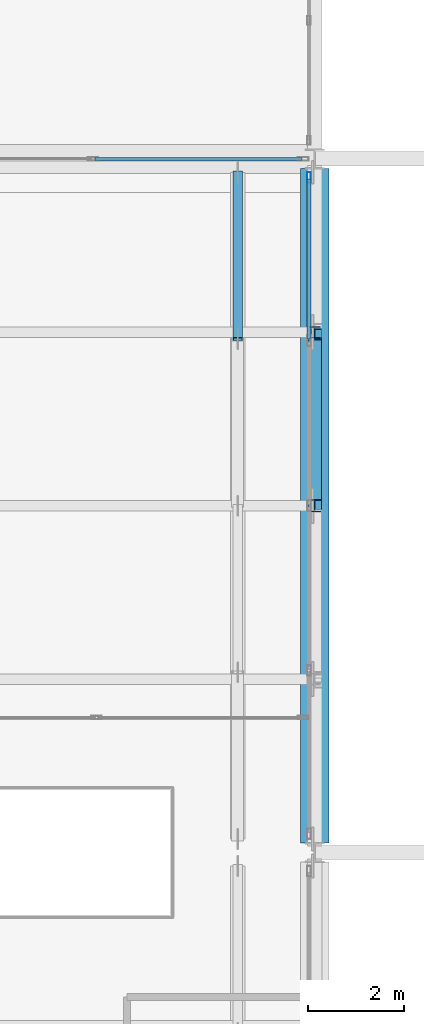
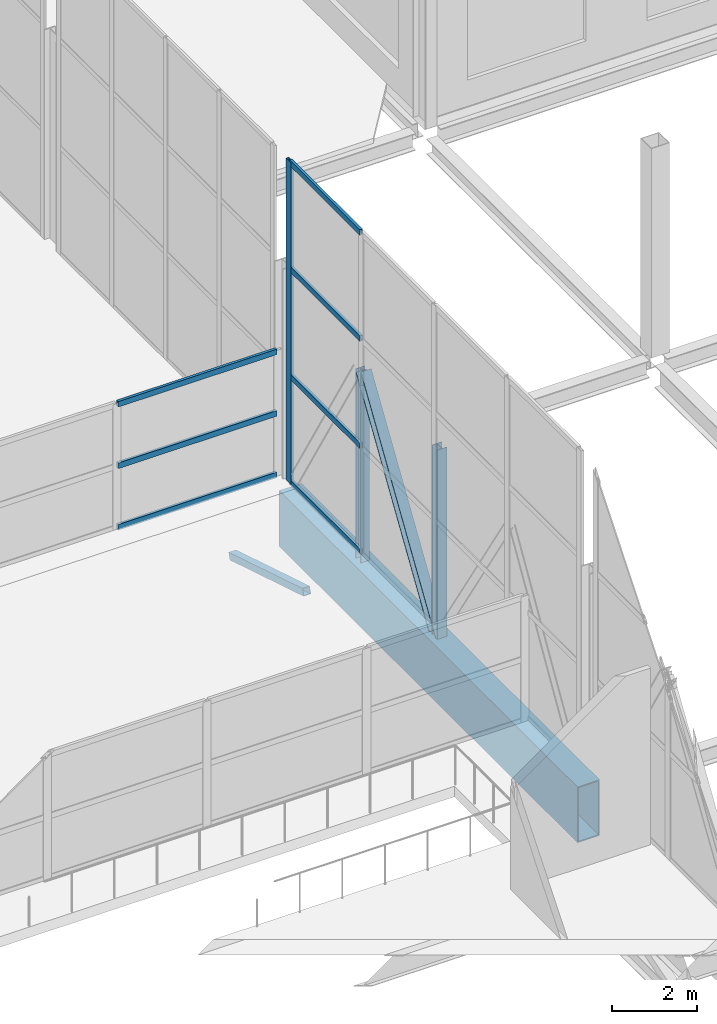
# One storey, part 110 of 191: 12 members, 1 beam, 2 elements without a shape of their own.
"""IFC4 building model written with IfcOpenShell, lengths in metres."""

from ifc_helpers import new_model, si_unit, direction, frame, origin, origin_2d, place, context, subcontext, project, spatial, hollow_rectangle, i_section, extrude, material, layer, layer_set, material_profile, profile_set, type_object, element, aggregate, save


model = new_model("IFC4")

# Units and contexts
model_context = context("Model", 3, precision=1e-05, world=origin(), true_north=direction((0.0, 1.0)))
body_context = subcontext(model_context, "Body", "Model", "MODEL_VIEW")
ifc_project = project(units=[si_unit("LENGTHUNIT", "METRE"), si_unit("AREAUNIT", "SQUARE_METRE"), si_unit("VOLUMEUNIT", "CUBIC_METRE"), si_unit("PLANEANGLEUNIT", "RADIAN"), si_unit("MASSUNIT", "GRAM", prefix="KILO")], contexts=[model_context])

# Site, building, storey
site_placement = place(None, origin())
site = spatial("IfcSite", under=ifc_project, at=site_placement, CompositionType="ELEMENT")
building_placement = place(site_placement, origin())
building = spatial("IfcBuilding", under=site, at=building_placement, Name="Tamarisk Ironworks Central Station", CompositionType="ELEMENT")
storey_placement = place(building_placement, frame((0.0, 0.0, 6.60009765625)))
storey = spatial("IfcBuildingStorey", under=building, at=storey_placement, Name="L01", CompositionType="ELEMENT", Elevation=6.60009765625)

# Beam
ifc_material_1 = material(Name="Structural steel S355J2", Category="steel")
ifc_material_profile_1 = material_profile(ifc_material_1, hollow_rectangle(XDim=0.60009765625, YDim=1.60009765625, WallThickness=0.031982421875, at=origin_2d()), Name="BOX 600x1600x32")
ifc_profile_set_1 = profile_set([ifc_material_profile_1], Name="Structural steel S355J2")
beam_type = type_object("IfcBeamType", Name="BM-TG01", PredefinedType="USERDEFINED", material=ifc_profile_set_1)
beam_placement = place(storey_placement, frame((108.0, 65.00048828125, -1.10009765625), z_axis=(0.0, 1.0, 0.0), x_axis=(-1.0, 0.0, 0.0)))
element("IfcBeam", 1, at=beam_placement, inside=storey, type_object=beam_type, Name="L01 primary girder Y-0235", ObjectType="TRANSFER GIRDER", PredefinedType="USERDEFINED", context=body_context, shape_type="SweptSolid", body=[
    extrude(hollow_rectangle(XDim=0.60009765625, YDim=1.60009765625, WallThickness=0.031982421875, at=origin_2d()), origin(), (0.0, 0.0, 1.0), 13.9990234375),
])

# Curtain wall, members
ifc_material_2 = material(Name="Anodized aluminium alloy 6063-T6", Category="aluminium")
ifc_layer_1 = layer(ifc_material_2, 0.179931640625)
ifc_layer_set_1 = layer_set([ifc_layer_1], Name="Anodized aluminium alloy 6063-T6")
curtain_wall_type_1 = type_object("IfcCurtainWallType", Name="CW-06", PredefinedType="USERDEFINED", material=ifc_layer_set_1)
curtain_wall_1_placement = place(storey_placement, origin())
curtain_wall_1 = element("IfcCurtainWall", 2, at=curtain_wall_1_placement, inside=storey, type_object=curtain_wall_type_1, Name="Concourse E track-overlook curtain wall 05", ObjectType="GLAZED CURTAIN WALL", PredefinedType="USERDEFINED")
ifc_material_profile_2 = material_profile(ifc_material_2, hollow_rectangle(XDim=0.074951171875, YDim=0.219970703125, WallThickness=0.00390625, at=origin_2d()), Name="ALUM 220x75")
ifc_profile_set_2 = profile_set([ifc_material_profile_2], Name="Anodized aluminium alloy 6063-T6")
member_type_1 = type_object("IfcMemberType", Name="CWM-01", PredefinedType="MULLION", material=ifc_profile_set_2)
member_1_placement = place(storey_placement, frame((107.8798828125, 78.8125, 0.0), z_axis=(0.0, 0.0, 1.0), x_axis=(-1.0, 0.0, 0.0)))
member_1 = element("IfcMember", 3, at=member_1_placement, type_object=member_type_1, Name="CW06 mullion 5", PredefinedType="MULLION", context=body_context, shape_type="SweptSolid", body=[
    extrude(hollow_rectangle(XDim=0.074951171875, YDim=0.219970703125, WallThickness=0.00390625, at=origin_2d()), origin(), (0.0, 0.0, 1.0), 9.219970703125),
])
ifc_material_profile_3 = material_profile(ifc_material_2, hollow_rectangle(XDim=0.074951171875, YDim=0.159912109375, WallThickness=0.00390625, at=origin_2d()), Name="ALUM 160x75")
ifc_profile_set_3 = profile_set([ifc_material_profile_3], Name="Anodized aluminium alloy 6063-T6")
member_type_2 = type_object("IfcMemberType", Name="CWT-01", PredefinedType="USERDEFINED", material=ifc_profile_set_3)
member_2_placement = place(storey_placement, frame((107.8798828125, 75.45849609375, 0.037353515625), z_axis=(0.0, 1.0, 0.0), x_axis=(-1.0, 0.0, 0.0)))
member_2 = element("IfcMember", 4, at=member_2_placement, type_object=member_type_2, Name="CW06 transom 4.1", ObjectType="TRANSOM", PredefinedType="USERDEFINED", context=body_context, shape_type="SweptSolid", body=[
    extrude(hollow_rectangle(XDim=0.074951171875, YDim=0.159912109375, WallThickness=0.00390625, at=origin_2d()), origin(), (0.0, 0.0, 1.0), 3.320556640625),
])
member_3_placement = place(storey_placement, frame((107.8798828125, 75.45849609375, 3.0732421875), z_axis=(0.0, 1.0, 0.0), x_axis=(-1.0, 0.0, 0.0)))
member_3 = element("IfcMember", 5, at=member_3_placement, type_object=member_type_2, Name="CW06 transom 4.2", ObjectType="TRANSOM", PredefinedType="USERDEFINED", context=body_context, shape_type="SweptSolid", body=[
    extrude(hollow_rectangle(XDim=0.074951171875, YDim=0.159912109375, WallThickness=0.00390625, at=origin_2d()), origin(), (0.0, 0.0, 1.0), 3.320556640625),
])
member_4_placement = place(storey_placement, frame((107.8798828125, 75.45849609375, 6.146484375), z_axis=(0.0, 1.0, 0.0), x_axis=(-1.0, 0.0, 0.0)))
member_4 = element("IfcMember", 6, at=member_4_placement, type_object=member_type_2, Name="CW06 transom 4.3", ObjectType="TRANSOM", PredefinedType="USERDEFINED", context=body_context, shape_type="SweptSolid", body=[
    extrude(hollow_rectangle(XDim=0.074951171875, YDim=0.159912109375, WallThickness=0.00390625, at=origin_2d()), origin(), (0.0, 0.0, 1.0), 3.320556640625),
])
member_5_placement = place(storey_placement, frame((107.8798828125, 75.45849609375, 9.182373046875), z_axis=(0.0, 1.0, 0.0), x_axis=(-1.0, 0.0, 0.0)))
member_5 = element("IfcMember", 7, at=member_5_placement, type_object=member_type_2, Name="CW06 transom 4.4", ObjectType="TRANSOM", PredefinedType="USERDEFINED", context=body_context, shape_type="SweptSolid", body=[
    extrude(hollow_rectangle(XDim=0.074951171875, YDim=0.159912109375, WallThickness=0.00390625, at=origin_2d()), origin(), (0.0, 0.0, 1.0), 3.320556640625),
])
aggregate(curtain_wall_1, [member_1, member_2, member_3, member_4, member_5])

ifc_layer_2 = layer(ifc_material_2, 0.179931640625)
ifc_layer_set_2 = layer_set([ifc_layer_2], Name="Anodized aluminium alloy 6063-T6")
curtain_wall_type_2 = type_object("IfcCurtainWallType", Name="CW-24", PredefinedType="USERDEFINED", material=ifc_layer_set_2)
curtain_wall_2_placement = place(storey_placement, origin())
curtain_wall_2 = element("IfcCurtainWall", 8, at=curtain_wall_2_placement, inside=storey, type_object=curtain_wall_type_2, Name="North bridge east glazed acoustic screen", ObjectType="GLAZED CURTAIN WALL", PredefinedType="USERDEFINED")
member_6_placement = place(storey_placement, frame((103.43310546875, 79.199951171875, 0.037353515625), z_axis=(1.0, 0.0, 0.0), x_axis=(0.0, 1.0, 0.0)))
member_6 = element("IfcMember", 9, at=member_6_placement, type_object=member_type_2, Name="CW24 transom 4.1", ObjectType="TRANSOM", PredefinedType="USERDEFINED", context=body_context, shape_type="SweptSolid", body=[
    extrude(hollow_rectangle(XDim=0.074951171875, YDim=0.159912109375, WallThickness=0.00390625, at=origin_2d()), origin(), (0.0, 0.0, 1.0), 4.294921875),
])
member_7_placement = place(storey_placement, frame((103.43310546875, 79.199951171875, 1.7998046875), z_axis=(1.0, 0.0, 0.0), x_axis=(0.0, 1.0, 0.0)))
member_7 = element("IfcMember", 10, at=member_7_placement, type_object=member_type_2, Name="CW24 transom 4.2", ObjectType="TRANSOM", PredefinedType="USERDEFINED", context=body_context, shape_type="SweptSolid", body=[
    extrude(hollow_rectangle(XDim=0.074951171875, YDim=0.159912109375, WallThickness=0.00390625, at=origin_2d()), origin(), (0.0, 0.0, 1.0), 4.294921875),
])
member_8_placement = place(storey_placement, frame((103.43310546875, 79.199951171875, 3.5625), z_axis=(1.0, 0.0, 0.0), x_axis=(0.0, 1.0, 0.0)))
member_8 = element("IfcMember", 11, at=member_8_placement, type_object=member_type_2, Name="CW24 transom 4.3", ObjectType="TRANSOM", PredefinedType="USERDEFINED", context=body_context, shape_type="SweptSolid", body=[
    extrude(hollow_rectangle(XDim=0.074951171875, YDim=0.159912109375, WallThickness=0.00390625, at=origin_2d()), origin(), (0.0, 0.0, 1.0), 4.294921875),
])
aggregate(curtain_wall_2, [member_6, member_7, member_8])

# Members
ifc_material_3 = material(Name="Structural steel S355J2H", Category="steel")
ifc_material_profile_4 = material_profile(ifc_material_3, hollow_rectangle(XDim=0.199951171875, YDim=0.199951171875, WallThickness=0.010009765625, at=origin_2d()), Name="SHS 200x200x10")
ifc_profile_set_4 = profile_set([ifc_material_profile_4], Name="Structural steel S355J2H")
member_type_3 = type_object("IfcMemberType", Name="MB-BR02", PredefinedType="BRACE", material=ifc_profile_set_4)
member_9_placement = place(storey_placement, frame((106.39990234375, 75.4599609375, -0.580078125), z_axis=(0.0, 0.956131332595, -0.292938346467), x_axis=(-1.0, 0.0, 0.0)))
element("IfcMember", 12, at=member_9_placement, inside=storey, type_object=member_type_3, Name="Bridge deck stiffening web brace 208", PredefinedType="BRACE", context=body_context, shape_type="SweptSolid", body=[
    extrude(hollow_rectangle(XDim=0.199951171875, YDim=0.199951171875, WallThickness=0.010009765625, at=origin_2d()), origin(), (0.0, 0.0, 1.0), 3.61865234375),
])
ifc_material_profile_5 = material_profile(ifc_material_1, i_section(OverallWidth=0.280029296875, OverallDepth=0.280029296875, WebThickness=0.010498046875, FlangeThickness=0.01806640625, at=origin_2d()), Name="HEB 280")
ifc_profile_set_5 = profile_set([ifc_material_profile_5], Name="Structural steel S355J2")
member_type_4 = type_object("IfcMemberType", Name="MB-TTD02", PredefinedType="BRACE", material=ifc_profile_set_5)
member_10_placement = place(storey_placement, frame((108.0, 72.0400390625, -0.380126953125), z_axis=(0.0, 0.539055818311, 0.842270042649), x_axis=(-1.0, 0.0, 0.0)))
element("IfcMember", 13, at=member_10_placement, inside=storey, type_object=member_type_4, Name="Transfer truss diagonal 109", PredefinedType="BRACE", context=body_context, shape_type="SweptSolid", body=[
    extrude(i_section(OverallWidth=0.280029296875, OverallDepth=0.280029296875, WebThickness=0.010498046875, FlangeThickness=0.01806640625, at=origin_2d()), origin(), (0.0, 0.0, 1.0), 6.530029296875),
])
ifc_material_profile_6 = material_profile(ifc_material_1, i_section(OverallWidth=0.260009765625, OverallDepth=0.260009765625, WebThickness=0.010009765625, FlangeThickness=0.017578125, at=origin_2d()), Name="HEB 260")
ifc_profile_set_6 = profile_set([ifc_material_profile_6], Name="Structural steel S355J2")
member_type_5 = type_object("IfcMemberType", Name="MB-TTP01", PredefinedType="POST", material=ifc_profile_set_6)
member_11_placement = place(storey_placement, frame((108.0, 72.0, -0.340087890625), z_axis=(0.0, 0.0, 1.0), x_axis=(1.0, 0.0, 0.0)))
element("IfcMember", 14, at=member_11_placement, inside=storey, type_object=member_type_5, Name="Transfer truss vertical post 110", PredefinedType="POST", context=body_context, shape_type="SweptSolid", body=[
    extrude(i_section(OverallWidth=0.260009765625, OverallDepth=0.260009765625, WebThickness=0.010009765625, FlangeThickness=0.017578125, at=origin_2d()), origin(), (0.0, 0.0, 1.0), 5.4599609375),
])
ifc_material_profile_7 = material_profile(ifc_material_1, i_section(OverallWidth=0.239990234375, OverallDepth=0.239990234375, WebThickness=0.010009765625, FlangeThickness=0.01708984375, at=origin_2d()), Name="HEB 240")
ifc_profile_set_7 = profile_set([ifc_material_profile_7], Name="Structural steel S355J2")
member_type_6 = type_object("IfcMemberType", Name="MB-TTP02", PredefinedType="POST", material=ifc_profile_set_7)
member_12_placement = place(storey_placement, frame((108.0, 75.60009765625, -0.340087890625), z_axis=(0.0, 0.0, 1.0), x_axis=(1.0, 0.0, 0.0)))
element("IfcMember", 15, at=member_12_placement, inside=storey, type_object=member_type_6, Name="Transfer truss vertical post 112", PredefinedType="POST", context=body_context, shape_type="SweptSolid", body=[
    extrude(i_section(OverallWidth=0.239990234375, OverallDepth=0.239990234375, WebThickness=0.010009765625, FlangeThickness=0.01708984375, at=origin_2d()), origin(), (0.0, 0.0, 1.0), 5.4599609375),
])

save(model, "model.ifc")
